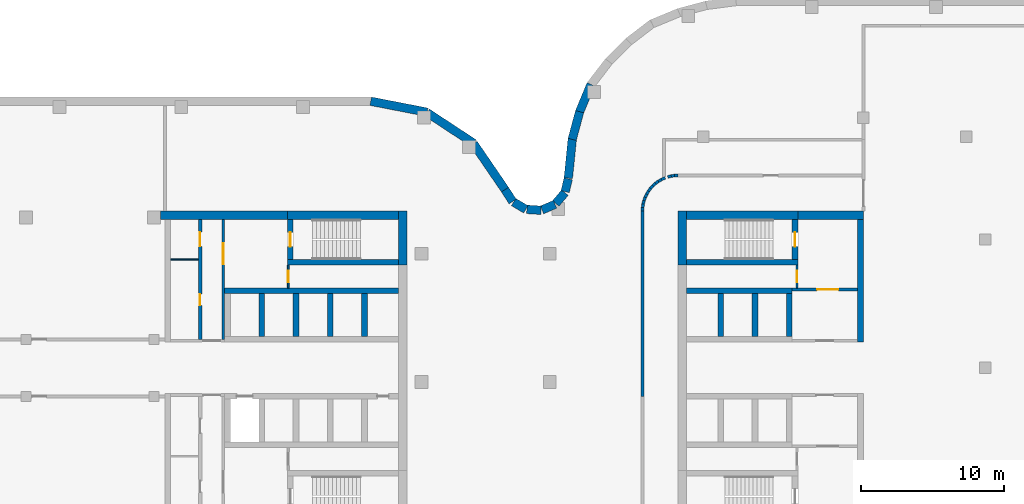
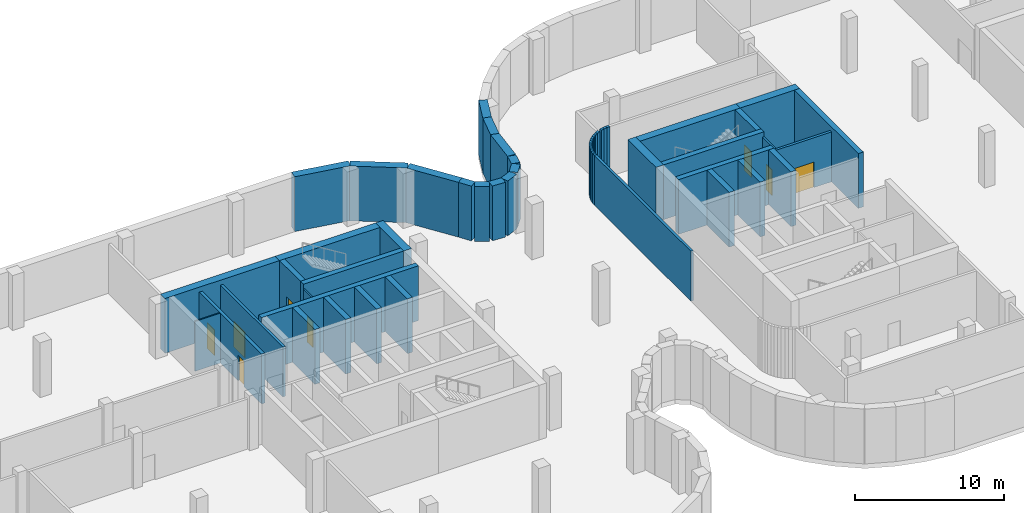
# One storey, part 10 of 16: 54 walls, 8 doors, 8 openings.
"""IFC4 building model written with IfcOpenShell, lengths in metres."""

from ifc_helpers import new_model, si_unit, direction, frame, frame_2d, origin, place, context, subcontext, project, spatial, rectangle, extrude, material, layer, layer_set, type_object, element, fill, save


model = new_model("IFC4")

# Units and contexts
model_context = context("Model", 3, precision=1e-05, world=origin(), true_north=direction((0.0, 1.0)))
body_context = subcontext(model_context, "Body", "Model", "MODEL_VIEW")
ifc_project = project(units=[si_unit("LENGTHUNIT", "METRE"), si_unit("AREAUNIT", "SQUARE_METRE"), si_unit("VOLUMEUNIT", "CUBIC_METRE"), si_unit("PLANEANGLEUNIT", "RADIAN"), si_unit("MASSUNIT", "GRAM", prefix="KILO")], contexts=[model_context])

# Site, building, storey
site_placement = place(None, origin())
site = spatial("IfcSite", under=ifc_project, at=site_placement, CompositionType="ELEMENT")
building_placement = place(site_placement, origin())
building = spatial("IfcBuilding", under=site, at=building_placement, Name="Skarvind Civic Tower", CompositionType="ELEMENT")
storey_placement = place(building_placement, frame((0.0, 0.0, -4.5)))
storey = spatial("IfcBuildingStorey", under=building, at=storey_placement, Name="B1", CompositionType="ELEMENT", Elevation=-4.5)

# Walls
ifc_material_1 = material(Name="Concrete C40", Category="concrete")
ifc_layer_1 = layer(ifc_material_1, 0.60009765625)
ifc_layer_set_1 = layer_set([ifc_layer_1], Name="Basement retaining wall 600 C40")
wall_type_1 = type_object("IfcWallType", Name="Basement retaining wall 600 C40", PredefinedType="SHEAR", material=ifc_layer_set_1)
wall_1_placement = place(storey_placement, frame((105.4404296875, 146.70166015625, 0.0), z_axis=(0.0, 0.0, 1.0), x_axis=(0.981593603981, -0.190981665674, 0.0)))
element("IfcWall", 1, at=wall_1_placement, inside=storey, type_object=wall_type_1, Name="Basement retaining wall B1 25", PredefinedType="SHEAR", context=body_context, shape_type="SweptSolid", body=[
    extrude(rectangle(XDim=4.025390625, YDim=0.60009765625, at=frame_2d((2.0126953125, 0.0))), origin(), (0.0, 0.0, 1.0), 4.5),
])
for number, where, z_axis, x_axis, name in (
    (2, (109.4013671875, 145.899658203125, 0.0), (0.0, 0.0, 1.0), (0.835543958523, -0.549423601037, 0.0), "Basement retaining wall B1 26"),
    (3, (112.66064453125, 143.7197265625, 0.0), (0.0, 0.0, 1.0), (0.564356686725, -0.825531059469, 0.0), "Basement retaining wall B1 27"),
):
    element("IfcWall", number, at=place(storey_placement, frame(where, z_axis=z_axis, x_axis=x_axis)), inside=storey, type_object=wall_type_1, Name=name, PredefinedType="SHEAR", context=body_context, shape_type="SweptSolid", body=[
        extrude(rectangle(XDim=3.905517578125, YDim=0.60009765625, at=frame_2d((1.95263671875, 0.0))), origin(), (0.0, 0.0, 1.0), 4.5),
    ])
for number, where, z_axis, x_axis, name in (
    (4, (114.860107421875, 140.50244140625, 0.0), (0.0, 0.0, 1.0), (0.541166311462, -0.840915586334, 0.0), "Basement retaining wall B1 28"),
    (5, (115.46142578125, 139.62744140625, 0.0), (0.0, 0.0, 1.0), (0.861915314468, -0.507052256365, 0.0), "Basement retaining wall B1 29"),
):
    element("IfcWall", number, at=place(storey_placement, frame(where, z_axis=z_axis, x_axis=x_axis)), inside=storey, type_object=wall_type_1, Name=name, PredefinedType="SHEAR", context=body_context, shape_type="SweptSolid", body=[
        extrude(rectangle(XDim=0.99609375, YDim=0.60009765625, at=frame_2d((0.498046875, 0.0))), origin(), (0.0, 0.0, 1.0), 4.5),
    ])
wall_2_placement = place(storey_placement, frame((116.392578125, 139.1171875, 0.0), z_axis=(0.0, 0.0, 1.0), x_axis=(0.997919716778, -0.064468898431, 0.0)))
element("IfcWall", 6, at=wall_2_placement, inside=storey, type_object=wall_type_1, Name="Basement retaining wall B1 30", PredefinedType="SHEAR", context=body_context, shape_type="SweptSolid", body=[
    extrude(rectangle(XDim=0.995849609375, YDim=0.60009765625, at=frame_2d((0.498046875, 0.0))), origin(), (0.0, 0.0, 1.0), 4.5),
])
for number, where, z_axis, x_axis, name in (
    (7, (117.45361328125, 139.080810546875, 0.0), (0.0, 0.0, 1.0), (0.920017434001, 0.391877431265, 0.0), "Basement retaining wall B1 31"),
    (8, (118.41748046875, 139.526123046875, 0.0), (0.0, 0.0, 1.0), (0.644897785416, 0.764268831215, 0.0), "Basement retaining wall B1 32"),
):
    element("IfcWall", number, at=place(storey_placement, frame(where, z_axis=z_axis, x_axis=x_axis)), inside=storey, type_object=wall_type_1, Name=name, PredefinedType="SHEAR", context=body_context, shape_type="SweptSolid", body=[
        extrude(rectangle(XDim=0.99609375, YDim=0.60009765625, at=frame_2d((0.498046875, 0.0))), origin(), (0.0, 0.0, 1.0), 4.5),
    ])
wall_3_placement = place(storey_placement, frame((119.0771484375, 140.35791015625, 0.0), z_axis=(0.0, 0.0, 1.0), x_axis=(0.231727447271, 0.972780751342, 0.0)))
element("IfcWall", 9, at=wall_3_placement, inside=storey, type_object=wall_type_1, Name="Basement retaining wall B1 33", PredefinedType="SHEAR", context=body_context, shape_type="SweptSolid", body=[
    extrude(rectangle(XDim=0.926025390625, YDim=0.60009765625, at=frame_2d((0.462890625, 0.0))), origin(), (0.0, 0.0, 1.0), 4.5),
])
wall_4_placement = place(storey_placement, frame((119.298583984375, 141.29833984375, 0.0), z_axis=(0.0, 0.0, 1.0), x_axis=(0.100130390068, 0.994974323782, 0.0)))
element("IfcWall", 10, at=wall_4_placement, inside=storey, type_object=wall_type_1, Name="Basement retaining wall B1 34", PredefinedType="SHEAR", context=body_context, shape_type="SweptSolid", body=[
    extrude(rectangle(XDim=2.777099609375, YDim=0.60009765625, at=frame_2d((1.388671875, 0.0))), origin(), (0.0, 0.0, 1.0), 4.5),
])
wall_5_placement = place(storey_placement, frame((119.570556640625, 144.023681640625, 0.0), z_axis=(0.0, 0.0, 1.0), x_axis=(0.25888565912, 0.965907974655, 0.0)))
element("IfcWall", 11, at=wall_5_placement, inside=storey, type_object=wall_type_1, Name="Basement retaining wall B1 35", PredefinedType="SHEAR", context=body_context, shape_type="SweptSolid", body=[
    extrude(rectangle(XDim=2.012451171875, YDim=0.60009765625, at=frame_2d((1.00634765625, 0.0))), origin(), (0.0, 0.0, 1.0), 4.5),
])
wall_6_placement = place(storey_placement, frame((120.078857421875, 145.9306640625, 0.0), z_axis=(0.0, 0.0, 1.0), x_axis=(0.382375593358, 0.924006983526, 0.0)))
element("IfcWall", 12, at=wall_6_placement, inside=storey, type_object=wall_type_1, Name="Basement retaining wall B1 36", PredefinedType="SHEAR", context=body_context, shape_type="SweptSolid", body=[
    extrude(rectangle(XDim=2.114013671875, YDim=0.60009765625, at=frame_2d((1.05712890625, 0.0))), origin(), (0.0, 0.0, 1.0), 4.5),
])

# Wall, opening, door
ifc_material_2 = material(Name="Fire-rated masonry partition", Category="masonry")
ifc_layer_2 = layer(ifc_material_2, 0.199951171875)
ifc_layer_set_2 = layer_set([ifc_layer_2], Name="Core enclosure wall 200")
wall_type_2 = type_object("IfcWallType", Name="Core enclosure wall 200", PredefinedType="PARTITIONING", material=ifc_layer_set_2)
wall_7_placement = place(storey_placement, frame((95.10009765625, 130.0, 0.0), z_axis=(0.0, 0.0, 1.0), x_axis=(0.0, 1.0, 0.0)))
wall_7 = element("IfcWall", 13, at=wall_7_placement, inside=storey, type_object=wall_type_2, Name="Core wall C1", PredefinedType="PARTITIONING", context=body_context, shape_type="SweptSolid", body=[
    extrude(rectangle(XDim=8.39990234375, YDim=0.199951171875, at=frame_2d((4.199951171875, 0.0))), origin(), (0.0, 0.0, 1.0), 4.10009765625),
])
opening_1_placement = place(wall_7_placement, frame((5.25, 0.0, 0.0)))
opening_1 = element("IfcOpeningElement", 14, at=opening_1_placement, cuts=wall_7, Name="Opening D-B1-C1-10", PredefinedType="OPENING", context=body_context, shape_type="SweptSolid", body=[
    extrude(rectangle(XDim=1.5, YDim=2.10009765625, at=frame_2d((0.75, 1.050048828125))), frame((0.0, 0.10986328125, 0.0), z_axis=(0.0, -1.0, 0.0), x_axis=(1.0, 0.0, 0.0)), (0.0, 0.0, 1.0), 0.219970703125),
])
ifc_material_3 = material(Name="Fire-rated steel door", Category="steel")
door_type_1 = type_object("IfcDoorType", Name="Fire door 1500", OperationType="NOTDEFINED", PredefinedType="DOOR", material=ifc_material_3)
door_1_placement = place(opening_1_placement, origin())
door_1 = element("IfcDoor", 15, at=door_1_placement, inside=storey, type_object=door_type_1, Name="Fire door", OperationType="DOUBLE_DOOR_SINGLE_SWING", OverallHeight=2.10009765625, OverallWidth=1.5, PredefinedType="DOOR", context=body_context, shape_type="SweptSolid", body=[
    extrude(rectangle(XDim=1.5, YDim=2.10009765625, at=frame_2d((0.75, 1.050048828125))), frame((0.0, 0.02490234375, 0.0), z_axis=(0.0, -1.0, 0.0), x_axis=(1.0, 0.0, 0.0)), (0.0, 0.0, 1.0), 0.050048828125),
])
fill(opening_1, door_1)

wall_8_placement = place(storey_placement, frame((135.0, 133.5, 0.0), z_axis=(0.0, 0.0, 1.0), x_axis=(1.0, 0.0, 0.0)))
wall_8 = element("IfcWall", 16, at=wall_8_placement, inside=storey, type_object=wall_type_2, Name="Core wall CA", PredefinedType="PARTITIONING", context=body_context, shape_type="SweptSolid", body=[
    extrude(rectangle(XDim=4.60009765625, YDim=0.199951171875, at=frame_2d((2.300048828125, 0.0))), origin(), (0.0, 0.0, 1.0), 4.10009765625),
])
opening_2_placement = place(wall_8_placement, frame((1.75, 0.0, 0.0)))
opening_2 = element("IfcOpeningElement", 17, at=opening_2_placement, cuts=wall_8, Name="Opening D-B1-CA-02", PredefinedType="OPENING", context=body_context, shape_type="SweptSolid", body=[
    extrude(rectangle(XDim=1.5, YDim=2.10009765625, at=frame_2d((0.75, 1.050048828125))), frame((0.0, 0.10986328125, 0.0), z_axis=(0.0, -1.0, 0.0), x_axis=(1.0, 0.0, 0.0)), (0.0, 0.0, 1.0), 0.219970703125),
])
door_2_placement = place(opening_2_placement, origin())
door_2 = element("IfcDoor", 18, at=door_2_placement, inside=storey, type_object=door_type_1, Name="Fire door", OperationType="DOUBLE_DOOR_SINGLE_SWING", OverallHeight=2.10009765625, OverallWidth=1.5, PredefinedType="DOOR", context=body_context, shape_type="SweptSolid", body=[
    extrude(rectangle(XDim=1.5, YDim=2.10009765625, at=frame_2d((0.75, 1.050048828125))), frame((0.0, 0.02490234375, 0.0), z_axis=(0.0, -1.0, 0.0), x_axis=(1.0, 0.0, 0.0)), (0.0, 0.0, 1.0), 0.050048828125),
])
fill(opening_2, door_2)

# Walls
ifc_material_4 = material(Name="Fire-rated plasterboard partition")
ifc_layer_3 = layer(ifc_material_4, 0.10009765625)
ifc_layer_set_3 = layer_set([ifc_layer_3], Name="Core partition wall 100")
wall_type_3 = type_object("IfcWallType", Name="Core partition wall 100", PredefinedType="PARTITIONING", material=ifc_layer_set_3)
wall_9_placement = place(storey_placement, frame((91.39990234375, 135.60009765625, 0.0), z_axis=(0.0, 0.0, 1.0), x_axis=(1.0, 0.0, 0.0)))
element("IfcWall", 19, at=wall_9_placement, inside=storey, type_object=wall_type_3, Name="Core wall C1", PredefinedType="PARTITIONING", context=body_context, shape_type="SweptSolid", body=[
    extrude(rectangle(XDim=1.9501953125, YDim=0.10009765625, at=frame_2d((0.97509765625, 0.0))), origin(), (0.0, 0.0, 1.0), 4.10009765625),
])
ifc_material_5 = material(Name="Concrete C80", Category="concrete")
ifc_layer_4 = layer(ifc_material_5, 0.39990234375)
ifc_layer_set_4 = layer_set([ifc_layer_4], Name="Core wall 400 C80")
wall_type_4 = type_object("IfcWallType", Name="Core wall 400 C80", PredefinedType="SHEAR", material=ifc_layer_set_4)
wall_10_placement = place(storey_placement, frame((107.39990234375, 135.39990234375, 0.0), z_axis=(0.0, 0.0, 1.0), x_axis=(-1.0, 0.0, 0.0)))
element("IfcWall", 20, at=wall_10_placement, inside=storey, type_object=wall_type_4, Name="Core wall C1 south stair inner B1", PredefinedType="SHEAR", context=body_context, shape_type="SweptSolid", body=[
    extrude(rectangle(XDim=7.7998046875, YDim=0.39990234375, at=frame_2d((3.89990234375, 0.0))), origin(), (0.0, 0.0, 1.0), 4.5),
])

# Wall, opening, door
wall_11_placement = place(storey_placement, frame((99.800048828125, 138.39990234375, 0.0), z_axis=(0.0, 0.0, 1.0), x_axis=(0.0, -1.0, 0.0)))
wall_11 = element("IfcWall", 21, at=wall_11_placement, inside=storey, type_object=wall_type_4, Name="Core wall C1 south stair end B1", PredefinedType="SHEAR", context=body_context, shape_type="SweptSolid", body=[
    extrude(rectangle(XDim=2.7998046875, YDim=0.39990234375, at=frame_2d((1.39990234375, 0.0))), origin(), (0.0, 0.0, 1.0), 4.5),
])
opening_3_placement = place(wall_11_placement, frame((0.89990234375, 0.0, 0.0)))
opening_3 = element("IfcOpeningElement", 22, at=opening_3_placement, cuts=wall_11, Name="Opening D-B1-C1-11", PredefinedType="OPENING", context=body_context, shape_type="SweptSolid", body=[
    extrude(rectangle(XDim=1.0, YDim=2.10009765625, at=frame_2d((0.5, 1.050048828125))), frame((0.0, 0.2099609375, 0.0), z_axis=(0.0, -1.0, 0.0), x_axis=(1.0, 0.0, 0.0)), (0.0, 0.0, 1.0), 0.419921875),
])
door_type_2 = type_object("IfcDoorType", Name="Fire door 1000", OperationType="NOTDEFINED", PredefinedType="DOOR", material=ifc_material_3)
door_3_placement = place(opening_3_placement, origin())
door_3 = element("IfcDoor", 23, at=door_3_placement, inside=storey, type_object=door_type_2, Name="Fire door", OperationType="SINGLE_SWING_RIGHT", OverallHeight=2.10009765625, OverallWidth=1.0, PredefinedType="DOOR", context=body_context, shape_type="SweptSolid", body=[
    extrude(rectangle(XDim=1.0, YDim=2.10009765625, at=frame_2d((0.5, 1.050048828125))), frame((0.0, 0.02490234375, 0.0), z_axis=(0.0, -1.0, 0.0), x_axis=(1.0, 0.0, 0.0)), (0.0, 0.0, 1.0), 0.050048828125),
])
fill(opening_3, door_3)

# Walls
wall_12_placement = place(storey_placement, frame((107.39990234375, 133.39990234375, 0.0), z_axis=(0.0, 0.0, 1.0), x_axis=(-1.0, 0.0, 0.0)))
element("IfcWall", 24, at=wall_12_placement, inside=storey, type_object=wall_type_4, Name="Core wall C1 south lift row back B1", PredefinedType="SHEAR", context=body_context, shape_type="SweptSolid", body=[
    extrude(rectangle(XDim=12.199951171875, YDim=0.39990234375, at=frame_2d((6.10009765625, 0.0))), origin(), (0.0, 0.0, 1.0), 4.5),
])
for number, where, z_axis, x_axis, name in (
    (25, (105.0, 133.199951171875, 0.0), (0.0, 0.0, 1.0), (0.0, -1.0, 0.0), "Core wall C1 south lift row division 1 B1"),
    (26, (102.60009765625, 133.199951171875, 0.0), (0.0, 0.0, 1.0), (0.0, -1.0, 0.0), "Core wall C1 south lift row division 2 B1"),
    (27, (100.199951171875, 133.199951171875, 0.0), (0.0, 0.0, 1.0), (0.0, -1.0, 0.0), "Core wall C1 south lift row division 3 B1"),
    (28, (97.800048828125, 133.199951171875, 0.0), (0.0, 0.0, 1.0), (0.0, -1.0, 0.0), "Core wall C1 south lift row division 4 B1"),
):
    element("IfcWall", number, at=place(storey_placement, frame(where, z_axis=z_axis, x_axis=x_axis)), inside=storey, type_object=wall_type_4, Name=name, PredefinedType="SHEAR", context=body_context, shape_type="SweptSolid", body=[
        extrude(rectangle(XDim=3.0, YDim=0.39990234375, at=frame_2d((1.5, 0.0))), origin(), (0.0, 0.0, 1.0), 4.5),
    ])
wall_13_placement = place(storey_placement, frame((127.60009765625, 135.39990234375, 0.0), z_axis=(0.0, 0.0, 1.0), x_axis=(1.0, 0.0, 0.0)))
element("IfcWall", 29, at=wall_13_placement, inside=storey, type_object=wall_type_4, Name="Core wall CA north stair inner B1", PredefinedType="SHEAR", context=body_context, shape_type="SweptSolid", body=[
    extrude(rectangle(XDim=7.7998046875, YDim=0.39990234375, at=frame_2d((3.89990234375, 0.0))), origin(), (0.0, 0.0, 1.0), 4.5),
])

# Wall, opening, door
wall_14_placement = place(storey_placement, frame((135.199951171875, 135.60009765625, 0.0), z_axis=(0.0, 0.0, 1.0), x_axis=(0.0, 1.0, 0.0)))
wall_14 = element("IfcWall", 30, at=wall_14_placement, inside=storey, type_object=wall_type_4, Name="Core wall CA north stair end B1", PredefinedType="SHEAR", context=body_context, shape_type="SweptSolid", body=[
    extrude(rectangle(XDim=2.7998046875, YDim=0.39990234375, at=frame_2d((1.39990234375, 0.0))), origin(), (0.0, 0.0, 1.0), 4.5),
])
opening_4_placement = place(wall_14_placement, frame((0.89990234375, 0.0, 0.0)))
opening_4 = element("IfcOpeningElement", 31, at=opening_4_placement, cuts=wall_14, Name="Opening D-B1-CA-03", PredefinedType="OPENING", context=body_context, shape_type="SweptSolid", body=[
    extrude(rectangle(XDim=1.0, YDim=2.10009765625, at=frame_2d((0.5, 1.050048828125))), frame((0.0, 0.2099609375, 0.0), z_axis=(0.0, -1.0, 0.0), x_axis=(1.0, 0.0, 0.0)), (0.0, 0.0, 1.0), 0.419921875),
])
door_4_placement = place(opening_4_placement, origin())
door_4 = element("IfcDoor", 32, at=door_4_placement, inside=storey, type_object=door_type_2, Name="Fire door", OperationType="SINGLE_SWING_LEFT", OverallHeight=2.10009765625, OverallWidth=1.0, PredefinedType="DOOR", context=body_context, shape_type="SweptSolid", body=[
    extrude(rectangle(XDim=1.0, YDim=2.10009765625, at=frame_2d((0.5, 1.050048828125))), frame((0.0, 0.02490234375, 0.0), z_axis=(0.0, -1.0, 0.0), x_axis=(1.0, 0.0, 0.0)), (0.0, 0.0, 1.0), 0.050048828125),
])
fill(opening_4, door_4)

# Walls
wall_15_placement = place(storey_placement, frame((127.60009765625, 133.39990234375, 0.0), z_axis=(0.0, 0.0, 1.0), x_axis=(1.0, 0.0, 0.0)))
element("IfcWall", 33, at=wall_15_placement, inside=storey, type_object=wall_type_4, Name="Core wall CA north lift row back B1", PredefinedType="SHEAR", context=body_context, shape_type="SweptSolid", body=[
    extrude(rectangle(XDim=7.39990234375, YDim=0.39990234375, at=frame_2d((3.699951171875, 0.0))), origin(), (0.0, 0.0, 1.0), 4.5),
])
for number, where, z_axis, x_axis, name in (
    (34, (130.0, 130.199951171875, 0.0), (0.0, 0.0, 1.0), (0.0, 1.0, 0.0), "Core wall CA north lift row division 1 B1"),
    (35, (132.39990234375, 130.199951171875, 0.0), (0.0, 0.0, 1.0), (0.0, 1.0, 0.0), "Core wall CA north lift row division 2 B1"),
    (36, (134.800048828125, 130.199951171875, 0.0), (0.0, 0.0, 1.0), (0.0, 1.0, 0.0), "Core wall CA north lift row division 3 B1"),
):
    element("IfcWall", number, at=place(storey_placement, frame(where, z_axis=z_axis, x_axis=x_axis)), inside=storey, type_object=wall_type_4, Name=name, PredefinedType="SHEAR", context=body_context, shape_type="SweptSolid", body=[
        extrude(rectangle(XDim=3.0, YDim=0.39990234375, at=frame_2d((1.5, 0.0))), origin(), (0.0, 0.0, 1.0), 4.5),
    ])
wall_16_placement = place(storey_placement, frame((139.800048828125, 129.800048828125, 0.0), z_axis=(0.0, 0.0, 1.0), x_axis=(0.0, 1.0, 0.0)))
element("IfcWall", 37, at=wall_16_placement, inside=storey, type_object=wall_type_4, Name="Core wall CA north inner face B1", PredefinedType="SHEAR", context=body_context, shape_type="SweptSolid", body=[
    extrude(rectangle(XDim=8.599853515625, YDim=0.39990234375, at=frame_2d((4.2998046875, 0.0))), origin(), (0.0, 0.0, 1.0), 4.5),
])
ifc_layer_5 = layer(ifc_material_5, 0.60009765625)
ifc_layer_set_5 = layer_set([ifc_layer_5], Name="Core wall 600 C80")
wall_type_5 = type_object("IfcWallType", Name="Core wall 600 C80", PredefinedType="SHEAR", material=ifc_layer_set_5)
wall_17_placement = place(storey_placement, frame((107.699951171875, 139.0, 0.0), z_axis=(0.0, 0.0, 1.0), x_axis=(0.0, -1.0, 0.0)))
element("IfcWall", 38, at=wall_17_placement, inside=storey, type_object=wall_type_5, Name="Core wall C1 tip at the south stair B1", PredefinedType="SHEAR", context=body_context, shape_type="SweptSolid", body=[
    extrude(rectangle(XDim=3.800048828125, YDim=0.60009765625, at=frame_2d((1.89990234375, 0.0))), origin(), (0.0, 0.0, 1.0), 4.5),
])
wall_18_placement = place(storey_placement, frame((107.39990234375, 138.699951171875, 0.0), z_axis=(0.0, 0.0, 1.0), x_axis=(-1.0, 0.0, 0.0)))
element("IfcWall", 39, at=wall_18_placement, inside=storey, type_object=wall_type_5, Name="Core wall C1 south side at the stair B1", PredefinedType="SHEAR", context=body_context, shape_type="SweptSolid", body=[
    extrude(rectangle(XDim=7.7998046875, YDim=0.60009765625, at=frame_2d((3.89990234375, 0.0))), origin(), (0.0, 0.0, 1.0), 4.5),
])
wall_19_placement = place(storey_placement, frame((99.60009765625, 138.699951171875, 0.0), z_axis=(0.0, 0.0, 1.0), x_axis=(-1.0, 0.0, 0.0)))
element("IfcWall", 40, at=wall_19_placement, inside=storey, type_object=wall_type_5, Name="Core wall C1 south side B1", PredefinedType="SHEAR", context=body_context, shape_type="SweptSolid", body=[
    extrude(rectangle(XDim=8.900146484375, YDim=0.60009765625, at=frame_2d((4.4501953125, 0.0))), origin(), (0.0, 0.0, 1.0), 4.5),
])
wall_20_placement = place(storey_placement, frame((127.300048828125, 135.199951171875, 0.0), z_axis=(0.0, 0.0, 1.0), x_axis=(0.0, 1.0, 0.0)))
element("IfcWall", 41, at=wall_20_placement, inside=storey, type_object=wall_type_5, Name="Core wall CA tip at the north stair B1", PredefinedType="SHEAR", context=body_context, shape_type="SweptSolid", body=[
    extrude(rectangle(XDim=3.800048828125, YDim=0.60009765625, at=frame_2d((1.89990234375, 0.0))), origin(), (0.0, 0.0, 1.0), 4.5),
])
wall_21_placement = place(storey_placement, frame((127.60009765625, 138.699951171875, 0.0), z_axis=(0.0, 0.0, 1.0), x_axis=(1.0, 0.0, 0.0)))
element("IfcWall", 42, at=wall_21_placement, inside=storey, type_object=wall_type_5, Name="Core wall CA north side at the stair B1", PredefinedType="SHEAR", context=body_context, shape_type="SweptSolid", body=[
    extrude(rectangle(XDim=7.7998046875, YDim=0.60009765625, at=frame_2d((3.89990234375, 0.0))), origin(), (0.0, 0.0, 1.0), 4.5),
])
wall_22_placement = place(storey_placement, frame((135.39990234375, 138.699951171875, 0.0), z_axis=(0.0, 0.0, 1.0), x_axis=(1.0, 0.0, 0.0)))
element("IfcWall", 43, at=wall_22_placement, inside=storey, type_object=wall_type_5, Name="Core wall CA north side B1", PredefinedType="SHEAR", context=body_context, shape_type="SweptSolid", body=[
    extrude(rectangle(XDim=4.60009765625, YDim=0.60009765625, at=frame_2d((2.300048828125, 0.0))), origin(), (0.0, 0.0, 1.0), 4.5),
])
ifc_material_6 = material(Name="Fire-rated blockwork wall, plastered", Category="masonry")
ifc_layer_6 = layer(ifc_material_6, 0.199951171875)
ifc_layer_set_6 = layer_set([ifc_layer_6], Name="FIRE WALL 200 EI 120")
wall_type_6 = type_object("IfcWallType", Name="FIRE WALL 200 EI 120", PredefinedType="PARTITIONING", material=ifc_layer_set_6)
wall_23_placement = place(storey_placement, frame((124.5, 126.0, 0.0), z_axis=(0.0, 0.0, 1.0), x_axis=(0.0, 1.0, 0.0)))
element("IfcWall", 44, at=wall_23_placement, inside=storey, type_object=wall_type_6, Name="Basement partition B1 035", PredefinedType="PARTITIONING", context=body_context, shape_type="SweptSolid", body=[
    extrude(rectangle(XDim=13.001953125, YDim=0.199951171875, at=frame_2d((6.5009765625, 0.0))), origin(), (0.0, 0.0, 1.0), 4.10009765625),
])
wall_24_placement = place(storey_placement, frame((124.5, 138.998046875, 0.0), z_axis=(0.0, 0.0, 1.0), x_axis=(0.047427190102, 0.998874697667, 0.0)))
element("IfcWall", 45, at=wall_24_placement, inside=storey, type_object=wall_type_6, Name="Basement partition B1 036", PredefinedType="PARTITIONING", context=body_context, shape_type="SweptSolid", body=[
    extrude(rectangle(XDim=0.252197265625, YDim=0.199951171875, at=frame_2d((0.1259765625, 0.0))), origin(), (0.0, 0.0, 1.0), 4.10009765625),
])
wall_25_placement = place(storey_placement, frame((124.510986328125, 139.239990234375, 0.0), z_axis=(0.0, 0.0, 1.0), x_axis=(0.148900521377, 0.988852180426, 0.0)))
element("IfcWall", 46, at=wall_25_placement, inside=storey, type_object=wall_type_6, Name="Basement partition B1 038", PredefinedType="PARTITIONING", context=body_context, shape_type="SweptSolid", body=[
    extrude(rectangle(XDim=0.255859375, YDim=0.199951171875, at=frame_2d((0.1279296875, 0.0))), origin(), (0.0, 0.0, 1.0), 4.10009765625),
])
wall_26_placement = place(storey_placement, frame((124.547119140625, 139.48291015625, 0.0), z_axis=(0.0, 0.0, 1.0), x_axis=(0.241636616978, 0.970366809683, 0.0)))
element("IfcWall", 47, at=wall_26_placement, inside=storey, type_object=wall_type_6, Name="Basement partition B1 040", PredefinedType="PARTITIONING", context=body_context, shape_type="SweptSolid", body=[
    extrude(rectangle(XDim=0.255615234375, YDim=0.199951171875, at=frame_2d((0.1279296875, 0.0))), origin(), (0.0, 0.0, 1.0), 4.10009765625),
])
wall_27_placement = place(storey_placement, frame((124.60595703125, 139.721923828125, 0.0), z_axis=(0.0, 0.0, 1.0), x_axis=(0.337125007331, 0.941459892631, 0.0)))
element("IfcWall", 48, at=wall_27_placement, inside=storey, type_object=wall_type_6, Name="Basement partition B1 042", PredefinedType="PARTITIONING", context=body_context, shape_type="SweptSolid", body=[
    extrude(rectangle(XDim=0.2548828125, YDim=0.199951171875, at=frame_2d((0.12744140625, 0.0))), origin(), (0.0, 0.0, 1.0), 4.10009765625),
])
wall_28_placement = place(storey_placement, frame((124.68798828125, 139.951904296875, 0.0), z_axis=(0.0, 0.0, 1.0), x_axis=(0.4287046499, 0.903444698448, 0.0)))
element("IfcWall", 49, at=wall_28_placement, inside=storey, type_object=wall_type_6, Name="Basement partition B1 044", PredefinedType="PARTITIONING", context=body_context, shape_type="SweptSolid", body=[
    extrude(rectangle(XDim=0.254638671875, YDim=0.199951171875, at=frame_2d((0.12744140625, 0.0))), origin(), (0.0, 0.0, 1.0), 4.10009765625),
])
wall_29_placement = place(storey_placement, frame((124.79296875, 140.174072265625, 0.0), z_axis=(0.0, 0.0, 1.0), x_axis=(0.513651517527, 0.857998903579, 0.0)))
element("IfcWall", 50, at=wall_29_placement, inside=storey, type_object=wall_type_6, Name="Basement partition B1 046", PredefinedType="PARTITIONING", context=body_context, shape_type="SweptSolid", body=[
    extrude(rectangle(XDim=0.255126953125, YDim=0.199951171875, at=frame_2d((0.12744140625, 0.0))), origin(), (0.0, 0.0, 1.0), 4.10009765625),
])
wall_30_placement = place(storey_placement, frame((124.91796875, 140.385009765625, 0.0), z_axis=(0.0, 0.0, 1.0), x_axis=(0.595707657713, 0.803201336243, 0.0)))
element("IfcWall", 51, at=wall_30_placement, inside=storey, type_object=wall_type_6, Name="Basement partition B1 048", PredefinedType="PARTITIONING", context=body_context, shape_type="SweptSolid", body=[
    extrude(rectangle(XDim=0.25537109375, YDim=0.199951171875, at=frame_2d((0.127685546875, 0.0))), origin(), (0.0, 0.0, 1.0), 4.10009765625),
])
for number, where, z_axis, x_axis, name in (
    (52, (125.06396484375, 140.58203125, 0.0), (0.0, 0.0, 1.0), (0.66938668015, 0.742914175687, 0.0), "Basement partition B1 050"),
    (53, (125.22802734375, 140.764892578125, 0.0), (0.0, 0.0, 1.0), (0.742914175687, 0.66938668015, 0.0), "Basement partition B1 052"),
):
    element("IfcWall", number, at=place(storey_placement, frame(where, z_axis=z_axis, x_axis=x_axis)), inside=storey, type_object=wall_type_6, Name=name, PredefinedType="PARTITIONING", context=body_context, shape_type="SweptSolid", body=[
        extrude(rectangle(XDim=0.255615234375, YDim=0.199951171875, at=frame_2d((0.1279296875, 0.0))), origin(), (0.0, 0.0, 1.0), 4.10009765625),
    ])
wall_31_placement = place(storey_placement, frame((125.409912109375, 140.929931640625, 0.0), z_axis=(0.0, 0.0, 1.0), x_axis=(0.803201336243, 0.595707657713, 0.0)))
element("IfcWall", 54, at=wall_31_placement, inside=storey, type_object=wall_type_6, Name="Basement partition B1 054", PredefinedType="PARTITIONING", context=body_context, shape_type="SweptSolid", body=[
    extrude(rectangle(XDim=0.25537109375, YDim=0.199951171875, at=frame_2d((0.127685546875, 0.0))), origin(), (0.0, 0.0, 1.0), 4.10009765625),
])
wall_32_placement = place(storey_placement, frame((125.60693359375, 141.075927734375, 0.0), z_axis=(0.0, 0.0, 1.0), x_axis=(0.857998903579, 0.513651517527, 0.0)))
element("IfcWall", 55, at=wall_32_placement, inside=storey, type_object=wall_type_6, Name="Basement partition B1 056", PredefinedType="PARTITIONING", context=body_context, shape_type="SweptSolid", body=[
    extrude(rectangle(XDim=0.255126953125, YDim=0.199951171875, at=frame_2d((0.12744140625, 0.0))), origin(), (0.0, 0.0, 1.0), 4.10009765625),
])
wall_33_placement = place(storey_placement, frame((125.818115234375, 141.202880859375, 0.0), z_axis=(0.0, 0.0, 1.0), x_axis=(0.902065692634, 0.431598755991, 0.0)))
element("IfcWall", 56, at=wall_33_placement, inside=storey, type_object=wall_type_6, Name="Basement partition B1 058", PredefinedType="PARTITIONING", context=body_context, shape_type="SweptSolid", body=[
    extrude(rectangle(XDim=0.301513671875, YDim=0.199951171875, at=frame_2d((0.15087890625, 0.0))), origin(), (0.0, 0.0, 1.0), 4.10009765625),
])
ifc_layer_7 = layer(ifc_material_6, 0.199951171875)
ifc_layer_set_7 = layer_set([ifc_layer_7], Name="FIRE WALL 200 EI 60")
wall_type_7 = type_object("IfcWallType", Name="FIRE WALL 200 EI 60", PredefinedType="PARTITIONING", material=ifc_layer_set_7)
wall_34_placement = place(storey_placement, frame((126.26904296875, 141.39111328125, 0.0), z_axis=(0.0, 0.0, 1.0), x_axis=(0.970366809683, 0.241636616978, 0.0)))
element("IfcWall", 57, at=wall_34_placement, inside=storey, type_object=wall_type_7, Name="Basement partition B1 066", PredefinedType="PARTITIONING", context=body_context, shape_type="SweptSolid", body=[
    extrude(rectangle(XDim=0.255615234375, YDim=0.199951171875, at=frame_2d((0.1279296875, 0.0))), origin(), (0.0, 0.0, 1.0), 4.10009765625),
])
wall_35_placement = place(storey_placement, frame((126.507080078125, 141.450927734375, 0.0), z_axis=(0.0, 0.0, 1.0), x_axis=(0.988852180426, 0.148900521377, 0.0)))
element("IfcWall", 58, at=wall_35_placement, inside=storey, type_object=wall_type_7, Name="Basement partition B1 068", PredefinedType="PARTITIONING", context=body_context, shape_type="SweptSolid", body=[
    extrude(rectangle(XDim=0.255859375, YDim=0.199951171875, at=frame_2d((0.1279296875, 0.0))), origin(), (0.0, 0.0, 1.0), 4.10009765625),
])
wall_36_placement = place(storey_placement, frame((126.75, 141.488037109375, 0.0), z_axis=(0.0, 0.0, 1.0), x_axis=(0.998874697667, 0.047427190102, 0.0)))
element("IfcWall", 59, at=wall_36_placement, inside=storey, type_object=wall_type_7, Name="Basement partition B1 070", PredefinedType="PARTITIONING", context=body_context, shape_type="SweptSolid", body=[
    extrude(rectangle(XDim=0.252197265625, YDim=0.199951171875, at=frame_2d((0.1259765625, 0.0))), origin(), (0.0, 0.0, 1.0), 4.10009765625),
])

# Wall, opening, door
ifc_layer_8 = layer(ifc_material_2, 0.125)
ifc_layer_set_8 = layer_set([ifc_layer_8], Name="Riser wall 125")
wall_type_8 = type_object("IfcWallType", Name="Riser wall 125", PredefinedType="PARTITIONING", material=ifc_layer_set_8)
wall_37_placement = place(storey_placement, frame((99.66259765625, 133.60009765625, 0.0), z_axis=(0.0, 0.0, 1.0), x_axis=(0.0, 1.0, 0.0)))
wall_37 = element("IfcWall", 60, at=wall_37_placement, inside=storey, type_object=wall_type_8, Name="Core wall C1", PredefinedType="PARTITIONING", context=body_context, shape_type="SweptSolid", body=[
    extrude(rectangle(XDim=1.599853515625, YDim=0.125, at=frame_2d((0.7998046875, 0.0))), origin(), (0.0, 0.0, 1.0), 4.10009765625),
])
opening_5_placement = place(wall_37_placement, frame((0.39990234375, 0.0, 0.0)))
opening_5 = element("IfcOpeningElement", 61, at=opening_5_placement, cuts=wall_37, Name="Opening D-B1-C1-12", PredefinedType="OPENING", context=body_context, shape_type="SweptSolid", body=[
    extrude(rectangle(XDim=0.800048828125, YDim=2.10009765625, at=frame_2d((0.39990234375, 1.050048828125))), frame((0.0, 0.072509765625, 0.0), z_axis=(0.0, -1.0, 0.0), x_axis=(1.0, 0.0, 0.0)), (0.0, 0.0, 1.0), 0.14501953125),
])
door_type_3 = type_object("IfcDoorType", Name="Core riser door 800", OperationType="NOTDEFINED", PredefinedType="DOOR", material=ifc_material_3)
door_5_placement = place(opening_5_placement, origin())
door_5 = element("IfcDoor", 62, at=door_5_placement, inside=storey, type_object=door_type_3, Name="Riser door", OperationType="SINGLE_SWING_LEFT", OverallHeight=2.10009765625, OverallWidth=0.800048828125, PredefinedType="DOOR", context=body_context, shape_type="SweptSolid", body=[
    extrude(rectangle(XDim=0.800048828125, YDim=2.10009765625, at=frame_2d((0.39990234375, 1.050048828125))), frame((0.0, 0.02490234375, 0.0), z_axis=(0.0, -1.0, 0.0), x_axis=(1.0, 0.0, 0.0)), (0.0, 0.0, 1.0), 0.050048828125),
])
fill(opening_5, door_5)

wall_38_placement = place(storey_placement, frame((135.33740234375, 135.199951171875, 0.0), z_axis=(0.0, 0.0, 1.0), x_axis=(0.0, -1.0, 0.0)))
wall_38 = element("IfcWall", 63, at=wall_38_placement, inside=storey, type_object=wall_type_8, Name="Core wall CA", PredefinedType="PARTITIONING", context=body_context, shape_type="SweptSolid", body=[
    extrude(rectangle(XDim=1.599853515625, YDim=0.125, at=frame_2d((0.7998046875, 0.0))), origin(), (0.0, 0.0, 1.0), 4.10009765625),
])
opening_6_placement = place(wall_38_placement, frame((0.39990234375, 0.0, 0.0)))
opening_6 = element("IfcOpeningElement", 64, at=opening_6_placement, cuts=wall_38, Name="Opening D-B1-CA-04", PredefinedType="OPENING", context=body_context, shape_type="SweptSolid", body=[
    extrude(rectangle(XDim=0.800048828125, YDim=2.10009765625, at=frame_2d((0.39990234375, 1.050048828125))), frame((0.0, 0.072509765625, 0.0), z_axis=(0.0, -1.0, 0.0), x_axis=(1.0, 0.0, 0.0)), (0.0, 0.0, 1.0), 0.14501953125),
])
door_6_placement = place(opening_6_placement, origin())
door_6 = element("IfcDoor", 65, at=door_6_placement, inside=storey, type_object=door_type_3, Name="Riser door", OperationType="SINGLE_SWING_RIGHT", OverallHeight=2.10009765625, OverallWidth=0.800048828125, PredefinedType="DOOR", context=body_context, shape_type="SweptSolid", body=[
    extrude(rectangle(XDim=0.800048828125, YDim=2.10009765625, at=frame_2d((0.39990234375, 1.050048828125))), frame((0.0, 0.02490234375, 0.0), z_axis=(0.0, -1.0, 0.0), x_axis=(1.0, 0.0, 0.0)), (0.0, 0.0, 1.0), 0.050048828125),
])
fill(opening_6, door_6)

# Wall, openings, doors
ifc_layer_9 = layer(ifc_material_2, 0.25)
ifc_layer_set_9 = layer_set([ifc_layer_9], Name="Service block wall 250")
wall_type_9 = type_object("IfcWallType", Name="Service block wall 250", PredefinedType="PARTITIONING", material=ifc_layer_set_9)
wall_39_placement = place(storey_placement, frame((93.47509765625, 130.0, 0.0), z_axis=(0.0, 0.0, 1.0), x_axis=(0.0, 1.0, 0.0)))
wall_39 = element("IfcWall", 66, at=wall_39_placement, inside=storey, type_object=wall_type_9, Name="Core wall C1", PredefinedType="PARTITIONING", context=body_context, shape_type="SweptSolid", body=[
    extrude(rectangle(XDim=8.39990234375, YDim=0.25, at=frame_2d((4.199951171875, 0.0))), origin(), (0.0, 0.0, 1.0), 4.10009765625),
])
opening_7_placement = place(wall_39_placement, frame((2.375, 0.0, 0.0)))
opening_7 = element("IfcOpeningElement", 67, at=opening_7_placement, cuts=wall_39, Name="Opening D-B1-C1-13", PredefinedType="OPENING", context=body_context, shape_type="SweptSolid", body=[
    extrude(rectangle(XDim=0.800048828125, YDim=2.10009765625, at=frame_2d((0.39990234375, 1.050048828125))), frame((0.0, 0.135009765625, 0.0), z_axis=(0.0, -1.0, 0.0), x_axis=(1.0, 0.0, 0.0)), (0.0, 0.0, 1.0), 0.27001953125),
])
opening_8_placement = place(wall_39_placement, frame((6.52490234375, 0.0, 0.0)))
opening_8 = element("IfcOpeningElement", 68, at=opening_8_placement, cuts=wall_39, Name="Opening D-B1-C1-14", PredefinedType="OPENING", context=body_context, shape_type="SweptSolid", body=[
    extrude(rectangle(XDim=1.0, YDim=2.10009765625, at=frame_2d((0.5, 1.050048828125))), frame((0.0, 0.135009765625, 0.0), z_axis=(0.0, -1.0, 0.0), x_axis=(1.0, 0.0, 0.0)), (0.0, 0.0, 1.0), 0.27001953125),
])
door_7_placement = place(opening_7_placement, origin())
door_7 = element("IfcDoor", 69, at=door_7_placement, inside=storey, type_object=door_type_3, Name="Riser door", OperationType="SINGLE_SWING_RIGHT", OverallHeight=2.10009765625, OverallWidth=0.800048828125, PredefinedType="DOOR", context=body_context, shape_type="SweptSolid", body=[
    extrude(rectangle(XDim=0.800048828125, YDim=2.10009765625, at=frame_2d((0.39990234375, 1.050048828125))), frame((0.0, 0.02490234375, 0.0), z_axis=(0.0, -1.0, 0.0), x_axis=(1.0, 0.0, 0.0)), (0.0, 0.0, 1.0), 0.050048828125),
])
fill(opening_7, door_7)
door_8_placement = place(opening_8_placement, origin())
door_8 = element("IfcDoor", 70, at=door_8_placement, inside=storey, type_object=door_type_2, Name="Fire door", OperationType="SINGLE_SWING_LEFT", OverallHeight=2.10009765625, OverallWidth=1.0, PredefinedType="DOOR", context=body_context, shape_type="SweptSolid", body=[
    extrude(rectangle(XDim=1.0, YDim=2.10009765625, at=frame_2d((0.5, 1.050048828125))), frame((0.0, 0.02490234375, 0.0), z_axis=(0.0, -1.0, 0.0), x_axis=(1.0, 0.0, 0.0)), (0.0, 0.0, 1.0), 0.050048828125),
])
fill(opening_8, door_8)

save(model, "model.ifc")
